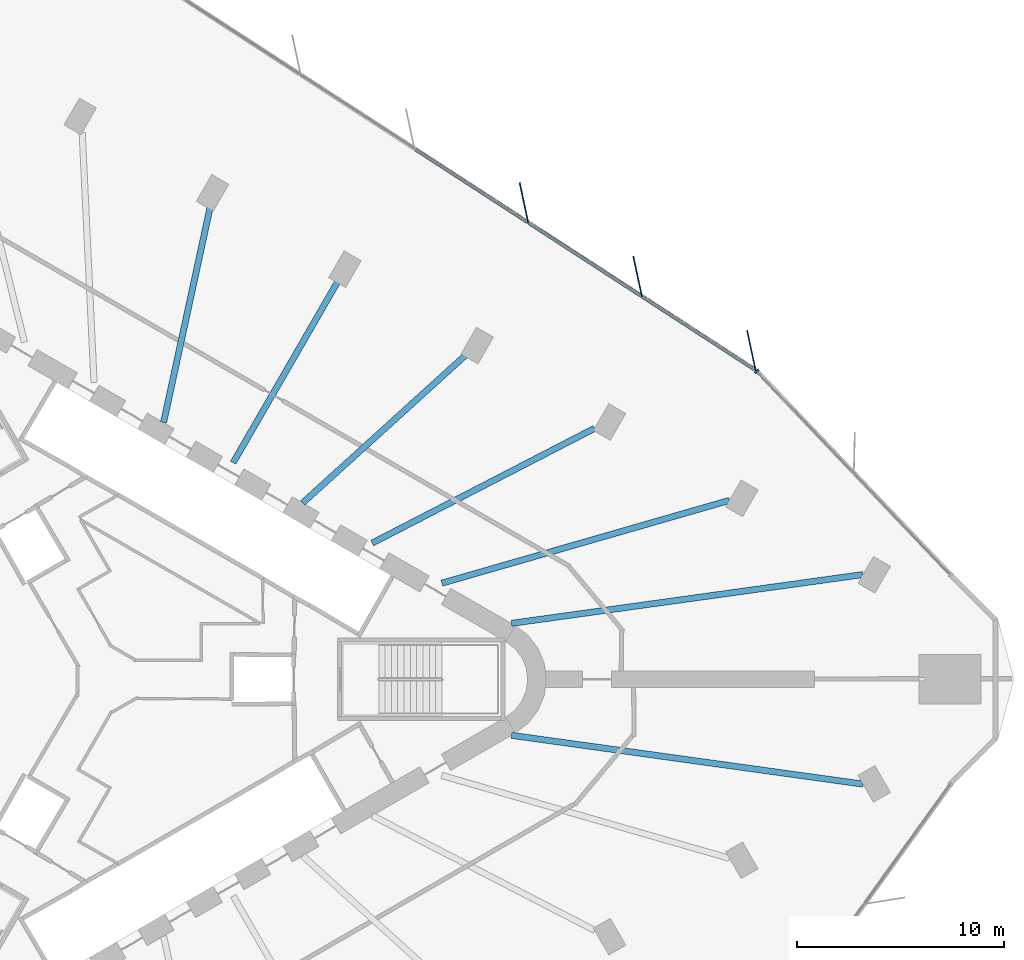
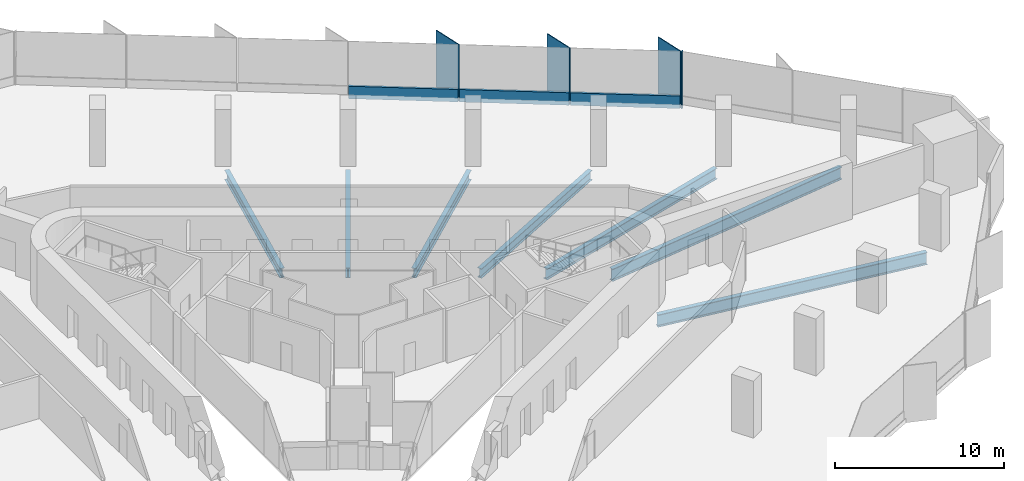
# One storey, part 5 of 14: 7 beams, 7 members, 2 elements without a shape of their own.
"""IFC4 building model written with IfcOpenShell, lengths in metres."""

import ifcopenshell
import ifcopenshell.guid

model = None  # the IFC model being written
_history = None  # IfcOwnerHistory: only IFC2X3 demands one
_inside = {}  # id of a spatial element -> (the spatial element, [elements in it])
_under = {}  # id of a project, library or spatial element -> (it, [spatial elements below it])
_declared = {}  # id of a project -> (the project, [libraries it declares])
_typed = {}  # id of a type object -> (the type object, [elements of that type])
_made_of = {}  # id of a material, layer set ... -> (it, [elements and type objects made of it])


def new_model(schema):
    """Start an empty IFC model of exactly this schema.

    Asked for "IFC4X3", IfcOpenShell would pick the latest addendum, in which some entities
    have other attributes; the version numbers below select the first issue.
    IFC2X3 requires an IfcOwnerHistory on every rooted entity: one is made here for all.
    """
    global model, _history
    if schema == "IFC4X3":
        model = ifcopenshell.file(schema_version=(4, 3, 0, 0))
    else:
        model = ifcopenshell.file(schema=schema)
    _inside.clear()
    _under.clear()
    _declared.clear()
    _typed.clear()
    _made_of.clear()
    _history = None
    if model.schema == "IFC2X3":
        org = make("IfcOrganization", Name="unknown")
        user = make(
            "IfcPersonAndOrganization",
            ThePerson=make("IfcPerson", FamilyName="unknown"),
            TheOrganization=org,
        )
        app = make(
            "IfcApplication",
            ApplicationDeveloper=org,
            Version="unknown",
            ApplicationFullName="unknown",
            ApplicationIdentifier="unknown",
        )
        _history = make(
            "IfcOwnerHistory",
            OwningUser=user,
            OwningApplication=app,
            ChangeAction="ADDED",
            CreationDate=0,
        )
    return model


def make(cls, **values):
    """One entity of the class cls with the attributes given. An attribute that is None is left unset."""
    return model.create_entity(
        cls, **{name: value for name, value in values.items() if value is not None}
    )


def rooted(cls, **values):
    """An entity with a GlobalId (a new one), such as an element, a storey or a relation."""
    return make(cls, GlobalId=ifcopenshell.guid.new(), OwnerHistory=_history, **values)


def si_unit(unit_type, name, prefix=None):
    """IfcSIUnit, for example si_unit("LENGTHUNIT", "METRE", prefix="MILLI")."""
    return make("IfcSIUnit", UnitType=unit_type, Prefix=prefix, Name=name)


def assignment(units):
    """IfcUnitAssignment: the units of a project."""
    return None if units is None else make("IfcUnitAssignment", Units=units)


def point(xyz):
    """IfcCartesianPoint."""
    return None if xyz is None else make("IfcCartesianPoint", Coordinates=xyz)


def direction(xyz):
    """IfcDirection."""
    return None if xyz is None else make("IfcDirection", DirectionRatios=xyz)


def frame(location, z_axis=None, x_axis=None):
    """IfcAxis2Placement3D, a coordinate frame: its origin and axes. An axis left out is left unset."""
    return make(
        "IfcAxis2Placement3D",
        Location=point(location),
        Axis=direction(z_axis),
        RefDirection=direction(x_axis),
    )


def frame_2d(location, x_axis=None):
    """IfcAxis2Placement2D, a coordinate frame in the plane: its origin and x axis."""
    return make(
        "IfcAxis2Placement2D", Location=point(location), RefDirection=direction(x_axis)
    )


def origin():
    """The frame at (0, 0, 0) with its axes left unset."""
    return frame((0.0, 0.0, 0.0))


def origin_2d():
    """The frame at (0, 0) in the plane with its x axis left unset."""
    return frame_2d((0.0, 0.0))


def place(relative_to, where):
    """IfcLocalPlacement: puts the frame where relative to a parent placement (None: the world)."""
    return make(
        "IfcLocalPlacement", PlacementRelTo=relative_to, RelativePlacement=where
    )


def context(
    kind, dimensions, precision=None, world=None, true_north=None, identifier=None
):
    """IfcGeometricRepresentationContext, for example the 3D "Model" context."""
    return make(
        "IfcGeometricRepresentationContext",
        ContextIdentifier=identifier,
        ContextType=kind,
        CoordinateSpaceDimension=dimensions,
        Precision=precision,
        WorldCoordinateSystem=world,
        TrueNorth=true_north,
    )


def subcontext(parent, identifier, kind, view, scale=None):
    """IfcGeometricRepresentationSubContext, for example "Body" below "Model"."""
    return make(
        "IfcGeometricRepresentationSubContext",
        ContextIdentifier=identifier,
        ContextType=kind,
        ParentContext=parent,
        TargetScale=scale,
        TargetView=view,
    )


def project(units=None, contexts=None):
    """IfcProject with its units and contexts."""
    return rooted(
        "IfcProject",
        Name="project",
        RepresentationContexts=contexts,
        UnitsInContext=assignment(units),
    )


def spatial(cls, under=None, at=None, **own):
    """A site, building, storey or space (cls), placed at a placement, below another one or the project."""
    s = rooted(cls, ObjectPlacement=at, **own)
    if under is not None:
        _under.setdefault(under.id(), (under, []))[1].append(s)
    return s


def profile(cls, at=None, kind="AREA", **sizes):
    """A parametric profile (cls). Its sizes go by their IFC names, for example OverallWidth=200.0."""
    return make(cls, ProfileType=kind, Position=at, **sizes)


def rectangle(**sizes):
    """IfcRectangleProfileDef."""
    return profile("IfcRectangleProfileDef", **sizes)


def i_section(**sizes):
    """IfcIShapeProfileDef."""
    return profile("IfcIShapeProfileDef", **sizes)


def extrude(swept, where, along, depth):
    """IfcExtrudedAreaSolid: the profile swept, set in the frame where, extruded along a direction by depth."""
    return make(
        "IfcExtrudedAreaSolid",
        SweptArea=swept,
        Position=where,
        ExtrudedDirection=direction(along),
        Depth=depth,
    )


def shape(context_of_items, identifier, shape_type, items):
    """IfcShapeRepresentation: the items that make up one representation, for example the "Body"."""
    return make(
        "IfcShapeRepresentation",
        ContextOfItems=context_of_items,
        RepresentationIdentifier=identifier,
        RepresentationType=shape_type,
        Items=items,
    )


def material(Name=None, Category=None):
    """IfcMaterial."""
    return make("IfcMaterial", Name=Name, Category=Category)


def material_profile(
    of_material, cross_section, Name=None, Category=None, Priority=None
):
    """IfcMaterialProfile: a cross section and its material."""
    return make(
        "IfcMaterialProfile",
        Name=Name,
        Material=of_material,
        Profile=cross_section,
        Priority=Priority,
        Category=Category,
    )


def profile_set(profiles, Name=None, composite=None):
    """IfcMaterialProfileSet."""
    return make(
        "IfcMaterialProfileSet",
        Name=Name,
        MaterialProfiles=profiles,
        CompositeProfile=composite,
    )


def made_of(thing, what):
    """Note that an element or type object is made of a material, layer set ...; save() writes the relation."""
    if what is not None:
        _made_of.setdefault(what.id(), (what, []))[1].append(thing)
    return thing


def type_object(cls, material=None, **own):
    """A type object (cls), such as IfcWallType, which elements share."""
    return made_of(rooted(cls, **own), material)


def element(
    cls,
    number,
    at=None,
    inside=None,
    cuts=None,
    type_object=None,
    material=None,
    context=None,
    identifier="Body",
    shape_type=None,
    held_by="IfcProductDefinitionShape",
    body=None,
    shapes=None,
    **own,
):
    """One element of the class cls, such as IfcWall. Its Tag is "e" and its number.

    at: its placement. inside: the storey or other place that contains it. cuts: it is an
    opening in that element (IfcRelVoidsElement). A single representation is given by context,
    identifier, shape_type and body (its items); several are given by shapes. held_by: the class
    of the entity that holds the representations. save() writes the other relations.
    """
    e = rooted(cls, Tag="e%d" % number, ObjectPlacement=at, **own)
    if body is not None:
        shapes = [shape(context, identifier, shape_type, body)]
    if shapes is not None:
        e.Representation = make(held_by, Representations=shapes)
    if inside is not None:
        _inside.setdefault(inside.id(), (inside, []))[1].append(e)
    if cuts is not None:
        rooted(
            "IfcRelVoidsElement", RelatingBuildingElement=cuts, RelatedOpeningElement=e
        )
    if type_object is not None:
        _typed.setdefault(type_object.id(), (type_object, []))[1].append(e)
    return made_of(e, material)


def aggregate(whole, parts):
    """IfcRelAggregates: a whole, such as a stair, and the parts it consists of."""
    return rooted("IfcRelAggregates", RelatingObject=whole, RelatedObjects=parts)


def save(model, path):
    """Write the relations noted so far, then the file.

    IfcRelAggregates (storeys below a building ...), IfcRelContainedInSpatialStructure (elements
    in a storey), IfcRelDefinesByType, IfcRelAssociatesMaterial and IfcRelDeclares: one each for
    every whole, place, type object, material and project.
    """
    for whole, parts in _under.values():
        aggregate(whole, parts)
    for where, things in _inside.values():
        rooted(
            "IfcRelContainedInSpatialStructure",
            RelatedElements=things,
            RelatingStructure=where,
        )
    for kind, things in _typed.values():
        rooted("IfcRelDefinesByType", RelatedObjects=things, RelatingType=kind)
    for what, things in _made_of.values():
        rooted("IfcRelAssociatesMaterial", RelatedObjects=things, RelatingMaterial=what)
    for by, libraries in _declared.values():
        rooted("IfcRelDeclares", RelatingContext=by, RelatedDefinitions=libraries)
    model.write(path)


model = new_model("IFC4")

# Units and contexts
model_context = context("Model", 3, precision=1e-05, world=origin(), true_north=direction((0.0, 1.0)))
body_context = subcontext(model_context, "Body", "Model", "MODEL_VIEW")
ifc_project = project(units=[si_unit("LENGTHUNIT", "METRE"), si_unit("AREAUNIT", "SQUARE_METRE"), si_unit("VOLUMEUNIT", "CUBIC_METRE"), si_unit("PLANEANGLEUNIT", "RADIAN"), si_unit("MASSUNIT", "GRAM", prefix="KILO")], contexts=[model_context])

# Site, building, storey
site_placement = place(None, origin())
site = spatial("IfcSite", under=ifc_project, at=site_placement, CompositionType="ELEMENT")
building_placement = place(site_placement, origin())
building = spatial("IfcBuilding", under=site, at=building_placement, Name="Tanit Gate Tower", CompositionType="ELEMENT")
storey_placement = place(building_placement, frame((0.0, 0.0, 107.0)))
storey = spatial("IfcBuildingStorey", under=building, at=storey_placement, Name="L22", CompositionType="ELEMENT", Elevation=107.0)

# Curtain wall, members
ifc_material_1 = material(Name="Aluminium bronze anodised and glass", Category="aluminium")
curtain_wall_type = type_object("IfcCurtainWallType", Name="Curtain wall typical low", PredefinedType="NOTDEFINED", material=ifc_material_1)
curtain_wall_1_placement = place(storey_placement, origin())
curtain_wall_1 = element("IfcCurtainWall", 1, at=curtain_wall_1_placement, inside=storey, type_object=curtain_wall_type, Name="Curtain wall L22 NE2", PredefinedType="NOTDEFINED")
ifc_material_2 = material(Name="Aluminium bronze anodised", Category="aluminium")
ifc_material_profile_1 = material_profile(ifc_material_2, rectangle(XDim=2.0, YDim=0.055908203125, at=origin_2d()), Name="56x2000 bronze fin mullion")
ifc_profile_set_1 = profile_set([ifc_material_profile_1], Name="Aluminium bronze anodised")
member_type_1 = type_object("IfcMemberType", Name="FIN MULLION 56x2000 bronze", PredefinedType="MULLION", material=ifc_profile_set_1)
member_1_placement = place(storey_placement, frame((31.11767578125, 15.91064453125, -0.300048828125), z_axis=(0.0, 0.0, 1.0), x_axis=(0.208237849046, -0.978078216824, 0.0)))
member_1 = element("IfcMember", 2, at=member_1_placement, type_object=member_type_1, Name="Fin mullion L22 NE2.1", PredefinedType="MULLION", context=body_context, shape_type="SweptSolid", body=[
    extrude(rectangle(XDim=2.0, YDim=0.055908203125, at=origin_2d()), origin(), (0.0, 0.0, 1.0), 4.10009765625),
])
member_2_placement = place(storey_placement, frame((25.61669921875, 19.480224609375, -0.300048828125), z_axis=(0.0, 0.0, 1.0), x_axis=(0.208237849046, -0.978078216824, 0.0)))
member_2 = element("IfcMember", 3, at=member_2_placement, type_object=member_type_1, Name="Fin mullion L22 NE2.2", PredefinedType="MULLION", context=body_context, shape_type="SweptSolid", body=[
    extrude(rectangle(XDim=2.0, YDim=0.055908203125, at=origin_2d()), origin(), (0.0, 0.0, 1.0), 4.10009765625),
])
member_3_placement = place(storey_placement, frame((20.11572265625, 23.050048828125, -0.300048828125), z_axis=(0.0, 0.0, 1.0), x_axis=(0.208237849046, -0.978078216824, 0.0)))
member_3 = element("IfcMember", 4, at=member_3_placement, type_object=member_type_1, Name="Fin mullion L22 NE2.3", PredefinedType="MULLION", context=body_context, shape_type="SweptSolid", body=[
    extrude(rectangle(XDim=2.0, YDim=0.055908203125, at=origin_2d()), origin(), (0.0, 0.0, 1.0), 4.10009765625),
])

# Curtain wall, member
curtain_wall_2_placement = place(storey_placement, origin())
curtain_wall_2 = element("IfcCurtainWall", 5, at=curtain_wall_2_placement, inside=storey, type_object=curtain_wall_type, Name="Curtain wall L22 NE1", PredefinedType="NOTDEFINED")
ifc_material_3 = material(Name="Aluminium bronze anodised", Category="aluminium")
ifc_material_profile_2 = material_profile(ifc_material_3, rectangle(XDim=0.239990234375, YDim=0.080078125, at=origin_2d()), Name="80x240 bronze mullion")
ifc_profile_set_2 = profile_set([ifc_material_profile_2], Name="Aluminium bronze anodised")
member_type_2 = type_object("IfcMemberType", Name="Mullion 80x240 typical low", PredefinedType="MULLION", material=ifc_profile_set_2)
member_4_placement = place(storey_placement, frame((31.38232421875, 14.90380859375, -0.300048828125), z_axis=(0.0, 0.0, 1.0), x_axis=(-0.724303531374, -0.689481250245, 0.0)))
member_4 = element("IfcMember", 6, at=member_4_placement, type_object=member_type_2, Name="Mullion L22 NE1.3", PredefinedType="MULLION", context=body_context, shape_type="SweptSolid", body=[
    extrude(rectangle(XDim=0.239990234375, YDim=0.080078125, at=origin_2d()), origin(), (0.0, 0.0, 1.0), 4.10009765625),
])
aggregate(curtain_wall_2, [member_4])

# Beams
ifc_material_4 = material(Name="Steel S355", Category="steel")
ifc_material_profile_3 = material_profile(ifc_material_4, i_section(OverallWidth=0.300048828125, OverallDepth=0.68994140625, WebThickness=0.014404296875, FlangeThickness=0.027099609375, FilletRadius=0.027099609375, at=origin_2d()), Name="HEA 700")
ifc_profile_set_3 = profile_set([ifc_material_profile_3], Name="Steel S355")
beam_type_1 = type_object("IfcBeamType", Name="RADIAL GIRDER HEA 700 S355", PredefinedType="BEAM", material=ifc_profile_set_3)
beam_1_placement = place(storey_placement, frame((23.530029296875, 12.1396484375, -0.64501953125), z_axis=(-0.888695221305, -0.458498422713, 0.0), x_axis=(0.458498422713, -0.888695221305, 0.0)))
element("IfcBeam", 7, at=beam_1_placement, inside=storey, type_object=beam_type_1, Name="RADIAL GIRDER", PredefinedType="BEAM", context=body_context, shape_type="SweptSolid", body=[
    extrude(i_section(OverallWidth=0.300048828125, OverallDepth=0.68994140625, WebThickness=0.014404296875, FlangeThickness=0.027099609375, FilletRadius=0.027099609375, at=origin_2d()), origin(), (0.0, 0.0, 1.0), 12.09423828125),
])
beam_2_placement = place(storey_placement, frame((17.326416015625, 15.709228515625, -0.64501953125), z_axis=(-0.740834398556, -0.671687720534, 0.0), x_axis=(0.671687720534, -0.740834398556, 0.0)))
element("IfcBeam", 8, at=beam_2_placement, inside=storey, type_object=beam_type_1, Name="RADIAL GIRDER", PredefinedType="BEAM", context=body_context, shape_type="SweptSolid", body=[
    extrude(i_section(OverallWidth=0.300048828125, OverallDepth=0.68994140625, WebThickness=0.014404296875, FlangeThickness=0.027099609375, FilletRadius=0.027099609375, at=origin_2d()), origin(), (0.0, 0.0, 1.0), 10.677001953125),
])
beam_3_placement = place(storey_placement, frame((11.134033203125, 19.28466796875, -0.64501953125), z_axis=(-0.500003096968, -0.866023615742, 0.0), x_axis=(0.866023615742, -0.500003096968, 0.0)))
element("IfcBeam", 9, at=beam_3_placement, inside=storey, type_object=beam_type_1, Name="RADIAL GIRDER", PredefinedType="BEAM", context=body_context, shape_type="SweptSolid", body=[
    extrude(i_section(OverallWidth=0.300048828125, OverallDepth=0.68994140625, WebThickness=0.014404296875, FlangeThickness=0.027099609375, FilletRadius=0.027099609375, at=origin_2d()), origin(), (0.0, 0.0, 1.0), 10.166015625),
])
beam_4_placement = place(storey_placement, frame((4.94140625, 22.85986328125, -0.64501953125), z_axis=(-0.211276115388, -0.977426418236, 0.0), x_axis=(0.977426418236, -0.211276115388, 0.0)))
element("IfcBeam", 10, at=beam_4_placement, inside=storey, type_object=beam_type_1, Name="RADIAL GIRDER", PredefinedType="BEAM", context=body_context, shape_type="SweptSolid", body=[
    extrude(i_section(OverallWidth=0.300048828125, OverallDepth=0.68994140625, WebThickness=0.014404296875, FlangeThickness=0.027099609375, FilletRadius=0.027099609375, at=origin_2d()), origin(), (0.0, 0.0, 1.0), 10.67724609375),
])
ifc_material_5 = material(Name="Steel S355", Category="steel")
ifc_material_profile_4 = material_profile(ifc_material_5, i_section(OverallWidth=0.300048828125, OverallDepth=0.7900390625, WebThickness=0.014892578125, FlangeThickness=0.028076171875, FilletRadius=0.030029296875, at=origin_2d()), Name="HEA 800")
ifc_profile_set_4 = profile_set([ifc_material_profile_4], Name="Steel S355")
beam_type_2 = type_object("IfcBeamType", Name="RADIAL GIRDER HEA 800 S355", PredefinedType="BEAM", material=ifc_profile_set_4)
beam_5_placement = place(storey_placement, frame((30.0546875, 8.657470703125, -0.695068359375), z_axis=(-0.960925208755, -0.276808134236, 0.0), x_axis=(0.276808134236, -0.960925208755, 0.0)))
element("IfcBeam", 11, at=beam_5_placement, inside=storey, type_object=beam_type_2, Name="RADIAL GIRDER", PredefinedType="BEAM", context=body_context, shape_type="SweptSolid", body=[
    extrude(i_section(OverallWidth=0.300048828125, OverallDepth=0.7900390625, WebThickness=0.014892578125, FlangeThickness=0.028076171875, FilletRadius=0.030029296875, at=origin_2d()), origin(), (0.0, 0.0, 1.0), 14.472412109375),
])
ifc_material_6 = material(Name="Steel S355", Category="steel")
ifc_material_profile_5 = material_profile(ifc_material_6, i_section(OverallWidth=0.300048828125, OverallDepth=0.889892578125, WebThickness=0.01611328125, FlangeThickness=0.030029296875, FilletRadius=0.030029296875, at=origin_2d()), Name="HEA 900")
ifc_profile_set_5 = profile_set([ifc_material_profile_5], Name="Steel S355")
beam_type_3 = type_object("IfcBeamType", Name="RADIAL GIRDER HEA 900 S355", PredefinedType="BEAM", material=ifc_profile_set_5)
for number, where, z_axis, x_axis, name in (
    (12, (36.517333984375, -5.068359375, -0.7451171875), (-0.990504811004, 0.137478068716, 0.0), (-0.137478068716, -0.990504811004, 0.0), "RADIAL GIRDER"),
    (13, (36.517333984375, 5.068359375, -0.7451171875), (-0.990504811004, -0.137478068716, 0.0), (0.137478068716, -0.990504811004, 0.0), "RADIAL GIRDER"),
):
    element("IfcBeam", number, at=place(storey_placement, frame(where, z_axis=z_axis, x_axis=x_axis)), inside=storey, type_object=beam_type_3, Name=name, PredefinedType="BEAM", context=body_context, shape_type="SweptSolid", body=[
        extrude(i_section(OverallWidth=0.300048828125, OverallDepth=0.889892578125, WebThickness=0.01611328125, FlangeThickness=0.030029296875, FilletRadius=0.030029296875, at=origin_2d()), origin(), (0.0, 0.0, 1.0), 17.167236328125),
    ])

# Member
ifc_material_7 = material(Name="Aluminium bronze anodised", Category="aluminium")
ifc_material_profile_6 = material_profile(ifc_material_7, rectangle(XDim=0.159912109375, YDim=0.89990234375, at=origin_2d()), Name="160x900 bronze transom")
ifc_profile_set_6 = profile_set([ifc_material_profile_6], Name="Aluminium bronze anodised")
member_type_3 = type_object("IfcMemberType", Name="Transom 160x900 typical low", PredefinedType="USERDEFINED", material=ifc_profile_set_6)
member_5_placement = place(storey_placement, frame((31.28759765625, 14.976318359375, 0.14990234375), z_axis=(-0.838857562398, 0.544350980533, 0.0), x_axis=(-0.544350980533, -0.838857562398, 0.0)))
member_5 = element("IfcMember", 14, at=member_5_placement, type_object=member_type_3, Name="Transom L22 NE2.1", ObjectType="TRANSOM", PredefinedType="USERDEFINED", context=body_context, shape_type="SweptSolid", body=[
    extrude(rectangle(XDim=0.159912109375, YDim=0.89990234375, at=origin_2d()), origin(), (0.0, 0.0, 1.0), 6.477783203125),
])

member_6_placement = place(storey_placement, frame((25.786865234375, 18.546142578125, 0.14990234375), z_axis=(-0.838857562398, 0.544350980533, 0.0), x_axis=(-0.544350980533, -0.838857562398, 0.0)))
member_6 = element("IfcMember", 15, at=member_6_placement, type_object=member_type_3, Name="Transom L22 NE2.2", ObjectType="TRANSOM", PredefinedType="USERDEFINED", context=body_context, shape_type="SweptSolid", body=[
    extrude(rectangle(XDim=0.159912109375, YDim=0.89990234375, at=origin_2d()), origin(), (0.0, 0.0, 1.0), 6.477783203125),
])

member_7_placement = place(storey_placement, frame((20.285888671875, 22.115966796875, 0.14990234375), z_axis=(-0.838857562398, 0.544350980533, 0.0), x_axis=(-0.544350980533, -0.838857562398, 0.0)))
member_7 = element("IfcMember", 16, at=member_7_placement, type_object=member_type_3, Name="Transom L22 NE2.3", ObjectType="TRANSOM", PredefinedType="USERDEFINED", context=body_context, shape_type="SweptSolid", body=[
    extrude(rectangle(XDim=0.159912109375, YDim=0.89990234375, at=origin_2d()), origin(), (0.0, 0.0, 1.0), 6.477783203125),
])

aggregate(curtain_wall_1, [member_1, member_2, member_3, member_5, member_6, member_7])

save(model, "model.ifc")
